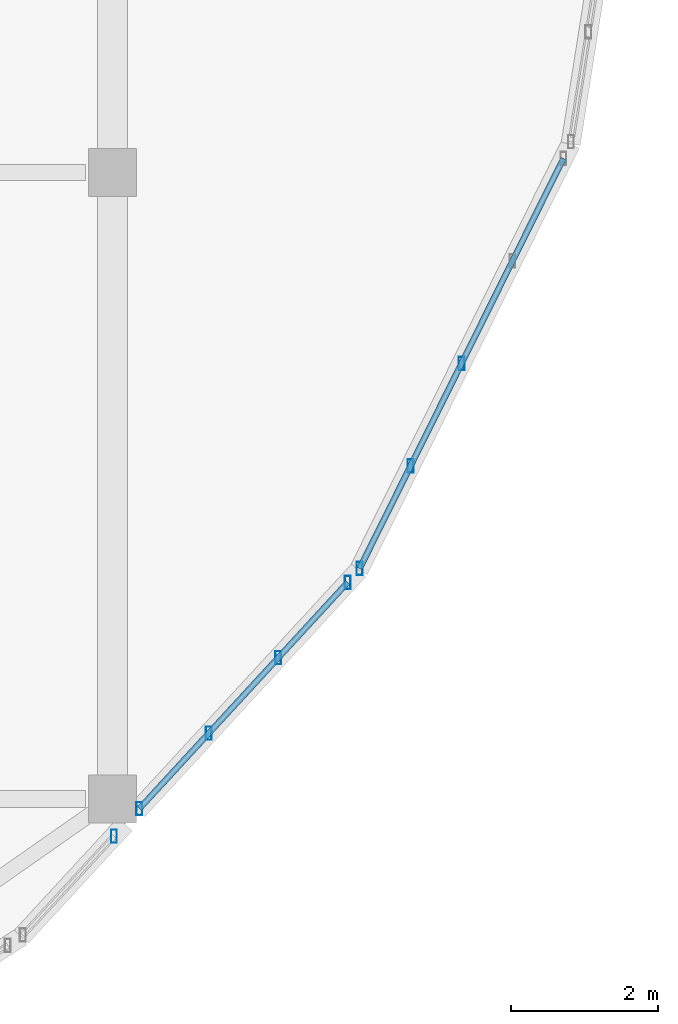
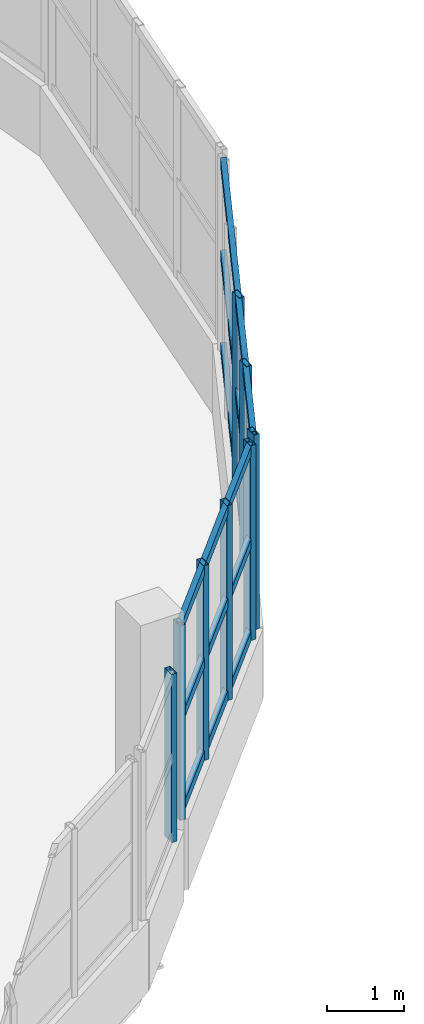
# One storey, part 21 of 50: 14 members, 3 elements without a shape of their own.
"""IFC4 building model written with IfcOpenShell, lengths in metres."""

from ifc_helpers import new_model, si_unit, direction, frame, origin, origin_2d, place, context, subcontext, project, spatial, hollow_rectangle, extrude, material, material_profile, profile_set, type_object, element, aggregate, save


model = new_model("IFC4")

# Units and contexts
model_context = context("Model", 3, precision=1e-05, world=origin(), true_north=direction((0.0, 1.0)))
body_context = subcontext(model_context, "Body", "Model", "MODEL_VIEW")
ifc_project = project(units=[si_unit("LENGTHUNIT", "METRE"), si_unit("AREAUNIT", "SQUARE_METRE"), si_unit("VOLUMEUNIT", "CUBIC_METRE"), si_unit("PLANEANGLEUNIT", "RADIAN"), si_unit("MASSUNIT", "GRAM", prefix="KILO")], contexts=[model_context])

# Site, building, storey
site_placement = place(None, origin())
site = spatial("IfcSite", under=ifc_project, at=site_placement, CompositionType="ELEMENT")
building_placement = place(site_placement, origin())
building = spatial("IfcBuilding", under=site, at=building_placement, Name="Solvento Point Concert Hall", CompositionType="ELEMENT")
storey_placement = place(building_placement, frame((0.0, 0.0, 15.0)))
storey = spatial("IfcBuildingStorey", under=building, at=storey_placement, Name="L03", CompositionType="ELEMENT", Elevation=15.0)

# Curtain wall, members
ifc_material_1 = material(Name="Anodized Bronze Aluminium", Category="aluminium")
curtain_wall_type = type_object("IfcCurtainWallType", Name="CurtainWall_RingRibbon_L03_04", PredefinedType="USERDEFINED", material=ifc_material_1)
curtain_wall_1_placement = place(storey_placement, origin())
curtain_wall_1 = element("IfcCurtainWall", 1, at=curtain_wall_1_placement, inside=storey, type_object=curtain_wall_type, Name="Unitised curtain wall CW-31 UCW-L03-202", ObjectType="UNITISED CURTAIN WALL", PredefinedType="USERDEFINED")
ifc_material_2 = material(Name="Anodized Bronze Aluminium", Category="aluminium")
ifc_material_profile_1 = material_profile(ifc_material_2, hollow_rectangle(XDim=0.080078125, YDim=0.179931640625, WallThickness=0.00390625, at=origin_2d()), Name="CW-MUL-80X180")
ifc_profile_set_1 = profile_set([ifc_material_profile_1], Name="Anodized Bronze Aluminium")
member_type_1 = type_object("IfcMemberType", Name="Mullion_80x180", PredefinedType="MULLION", material=ifc_profile_set_1)
member_1_placement = place(storey_placement, frame((87.537841796875, 22.9091796875, 1.1201171875), z_axis=(0.0, 0.0, 1.0), x_axis=(1.0, 0.0, 0.0)))
member_1 = element("IfcMember", 2, at=member_1_placement, type_object=member_type_1, Name="Curtain wall mullion ML-01", PredefinedType="MULLION", context=body_context, shape_type="SweptSolid", body=[
    extrude(hollow_rectangle(XDim=0.080078125, YDim=0.179931640625, WallThickness=0.00390625, at=origin_2d()), origin(), (0.0, 0.0, 1.0), 3.08984375),
])
member_2_placement = place(storey_placement, frame((86.84619140625, 21.51806640625, 1.1201171875), z_axis=(0.0, 0.0, 1.0), x_axis=(1.0, 0.0, 0.0)))
member_2 = element("IfcMember", 3, at=member_2_placement, type_object=member_type_1, Name="Curtain wall mullion ML-01", PredefinedType="MULLION", context=body_context, shape_type="SweptSolid", body=[
    extrude(hollow_rectangle(XDim=0.080078125, YDim=0.179931640625, WallThickness=0.00390625, at=origin_2d()), origin(), (0.0, 0.0, 1.0), 3.08984375),
])
member_3_placement = place(storey_placement, frame((86.15478515625, 20.126953125, 1.1201171875), z_axis=(0.0, 0.0, 1.0), x_axis=(1.0, 0.0, 0.0)))
member_3 = element("IfcMember", 4, at=member_3_placement, type_object=member_type_1, Name="Curtain wall mullion ML-01", PredefinedType="MULLION", context=body_context, shape_type="SweptSolid", body=[
    extrude(hollow_rectangle(XDim=0.080078125, YDim=0.179931640625, WallThickness=0.00390625, at=origin_2d()), origin(), (0.0, 0.0, 1.0), 3.08984375),
])

curtain_wall_2_placement = place(storey_placement, origin())
curtain_wall_2 = element("IfcCurtainWall", 5, at=curtain_wall_2_placement, inside=storey, type_object=curtain_wall_type, Name="Unitised curtain wall CW-31 UCW-L03-203", ObjectType="UNITISED CURTAIN WALL", PredefinedType="USERDEFINED")
member_4_placement = place(storey_placement, frame((85.992431640625, 19.938232421875, 1.1201171875), z_axis=(0.0, 0.0, 1.0), x_axis=(1.0, 0.0, 0.0)))
member_4 = element("IfcMember", 6, at=member_4_placement, type_object=member_type_1, Name="Curtain wall mullion ML-01", PredefinedType="MULLION", context=body_context, shape_type="SweptSolid", body=[
    extrude(hollow_rectangle(XDim=0.080078125, YDim=0.179931640625, WallThickness=0.00390625, at=origin_2d()), origin(), (0.0, 0.0, 1.0), 3.08984375),
])
member_5_placement = place(storey_placement, frame((85.050048828125, 18.914794921875, 1.1201171875), z_axis=(0.0, 0.0, 1.0), x_axis=(1.0, 0.0, 0.0)))
member_5 = element("IfcMember", 7, at=member_5_placement, type_object=member_type_1, Name="Curtain wall mullion ML-01", PredefinedType="MULLION", context=body_context, shape_type="SweptSolid", body=[
    extrude(hollow_rectangle(XDim=0.080078125, YDim=0.179931640625, WallThickness=0.00390625, at=origin_2d()), origin(), (0.0, 0.0, 1.0), 3.08984375),
])
member_6_placement = place(storey_placement, frame((84.107666015625, 17.89111328125, 1.1201171875), z_axis=(0.0, 0.0, 1.0), x_axis=(1.0, 0.0, 0.0)))
member_6 = element("IfcMember", 8, at=member_6_placement, type_object=member_type_1, Name="Curtain wall mullion ML-01", PredefinedType="MULLION", context=body_context, shape_type="SweptSolid", body=[
    extrude(hollow_rectangle(XDim=0.080078125, YDim=0.179931640625, WallThickness=0.00390625, at=origin_2d()), origin(), (0.0, 0.0, 1.0), 3.08984375),
])
member_7_placement = place(storey_placement, frame((83.165283203125, 16.86767578125, 1.1201171875), z_axis=(0.0, 0.0, 1.0), x_axis=(1.0, 0.0, 0.0)))
member_7 = element("IfcMember", 9, at=member_7_placement, type_object=member_type_1, Name="Curtain wall mullion ML-01", PredefinedType="MULLION", context=body_context, shape_type="SweptSolid", body=[
    extrude(hollow_rectangle(XDim=0.080078125, YDim=0.179931640625, WallThickness=0.00390625, at=origin_2d()), origin(), (0.0, 0.0, 1.0), 3.08984375),
])

# Curtain wall, member
curtain_wall_3_placement = place(storey_placement, origin())
curtain_wall_3 = element("IfcCurtainWall", 10, at=curtain_wall_3_placement, inside=storey, type_object=curtain_wall_type, Name="Unitised curtain wall CW-31 UCW-L03-204", ObjectType="UNITISED CURTAIN WALL", PredefinedType="USERDEFINED")
member_8_placement = place(storey_placement, frame((82.820556640625, 16.4931640625, 1.1201171875), z_axis=(0.0, 0.0, 1.0), x_axis=(1.0, 0.0, 0.0)))
member_8 = element("IfcMember", 11, at=member_8_placement, type_object=member_type_1, Name="Curtain wall mullion ML-01", PredefinedType="MULLION", context=body_context, shape_type="SweptSolid", body=[
    extrude(hollow_rectangle(XDim=0.080078125, YDim=0.179931640625, WallThickness=0.00390625, at=origin_2d()), origin(), (0.0, 0.0, 1.0), 2.66748046875),
])
aggregate(curtain_wall_3, [member_8])

# Member
ifc_material_3 = material(Name="Anodized Bronze Aluminium", Category="aluminium")
ifc_material_profile_2 = material_profile(ifc_material_3, hollow_rectangle(XDim=0.080078125, YDim=0.14990234375, WallThickness=0.00390625, at=origin_2d()), Name="CW-TRN-80X150")
ifc_profile_set_2 = profile_set([ifc_material_profile_2], Name="Anodized Bronze Aluminium")
member_type_2 = type_object("IfcMemberType", Name="Transom_80x150", PredefinedType="USERDEFINED", material=ifc_profile_set_2)
member_9_placement = place(storey_placement, frame((88.9208984375, 25.69140625, 1.199951171875), z_axis=(-0.445137963358, -0.895462000075, 0.0), x_axis=(0.895462000075, -0.445137963358, 0.0)))
member_9 = element("IfcMember", 12, at=member_9_placement, type_object=member_type_2, Name="Curtain wall transom TR-01", ObjectType="TRANSOM", PredefinedType="USERDEFINED", context=body_context, shape_type="SweptSolid", body=[
    extrude(hollow_rectangle(XDim=0.080078125, YDim=0.14990234375, WallThickness=0.00390625, at=origin_2d()), origin(), (0.0, 0.0, 1.0), 6.214111328125),
])

member_10_placement = place(storey_placement, frame((88.9208984375, 25.69140625, 2.6650390625), z_axis=(-0.445137963358, -0.895462000075, 0.0), x_axis=(0.895462000075, -0.445137963358, 0.0)))
member_10 = element("IfcMember", 13, at=member_10_placement, type_object=member_type_2, Name="Curtain wall transom TR-01", ObjectType="TRANSOM", PredefinedType="USERDEFINED", context=body_context, shape_type="SweptSolid", body=[
    extrude(hollow_rectangle(XDim=0.080078125, YDim=0.14990234375, WallThickness=0.00390625, at=origin_2d()), origin(), (0.0, 0.0, 1.0), 6.214111328125),
])

member_11_placement = place(storey_placement, frame((88.9208984375, 25.69140625, 4.1298828125), z_axis=(-0.445137963358, -0.895462000075, 0.0), x_axis=(0.895462000075, -0.445137963358, 0.0)))
member_11 = element("IfcMember", 14, at=member_11_placement, type_object=member_type_2, Name="Curtain wall transom TR-01", ObjectType="TRANSOM", PredefinedType="USERDEFINED", context=body_context, shape_type="SweptSolid", body=[
    extrude(hollow_rectangle(XDim=0.080078125, YDim=0.14990234375, WallThickness=0.00390625, at=origin_2d()), origin(), (0.0, 0.0, 1.0), 6.214111328125),
])

aggregate(curtain_wall_1, [member_1, member_2, member_3, member_9, member_10, member_11])

member_12_placement = place(storey_placement, frame((85.992431640625, 19.938232421875, 1.199951171875), z_axis=(-0.677346661288, -0.735663986098, 0.0), x_axis=(0.735663986098, -0.677346661288, 0.0)))
member_12 = element("IfcMember", 15, at=member_12_placement, type_object=member_type_2, Name="Curtain wall transom TR-01", ObjectType="TRANSOM", PredefinedType="USERDEFINED", context=body_context, shape_type="SweptSolid", body=[
    extrude(hollow_rectangle(XDim=0.080078125, YDim=0.14990234375, WallThickness=0.00390625, at=origin_2d()), origin(), (0.0, 0.0, 1.0), 4.173828125),
])

member_13_placement = place(storey_placement, frame((85.992431640625, 19.938232421875, 2.6650390625), z_axis=(-0.677346661288, -0.735663986098, 0.0), x_axis=(0.735663986098, -0.677346661288, 0.0)))
member_13 = element("IfcMember", 16, at=member_13_placement, type_object=member_type_2, Name="Curtain wall transom TR-01", ObjectType="TRANSOM", PredefinedType="USERDEFINED", context=body_context, shape_type="SweptSolid", body=[
    extrude(hollow_rectangle(XDim=0.080078125, YDim=0.14990234375, WallThickness=0.00390625, at=origin_2d()), origin(), (0.0, 0.0, 1.0), 4.173828125),
])

member_14_placement = place(storey_placement, frame((85.992431640625, 19.938232421875, 4.1298828125), z_axis=(-0.677346661288, -0.735663986098, 0.0), x_axis=(0.735663986098, -0.677346661288, 0.0)))
member_14 = element("IfcMember", 17, at=member_14_placement, type_object=member_type_2, Name="Curtain wall transom TR-01", ObjectType="TRANSOM", PredefinedType="USERDEFINED", context=body_context, shape_type="SweptSolid", body=[
    extrude(hollow_rectangle(XDim=0.080078125, YDim=0.14990234375, WallThickness=0.00390625, at=origin_2d()), origin(), (0.0, 0.0, 1.0), 4.173828125),
])

aggregate(curtain_wall_2, [member_4, member_5, member_6, member_7, member_12, member_13, member_14])

save(model, "model.ifc")
